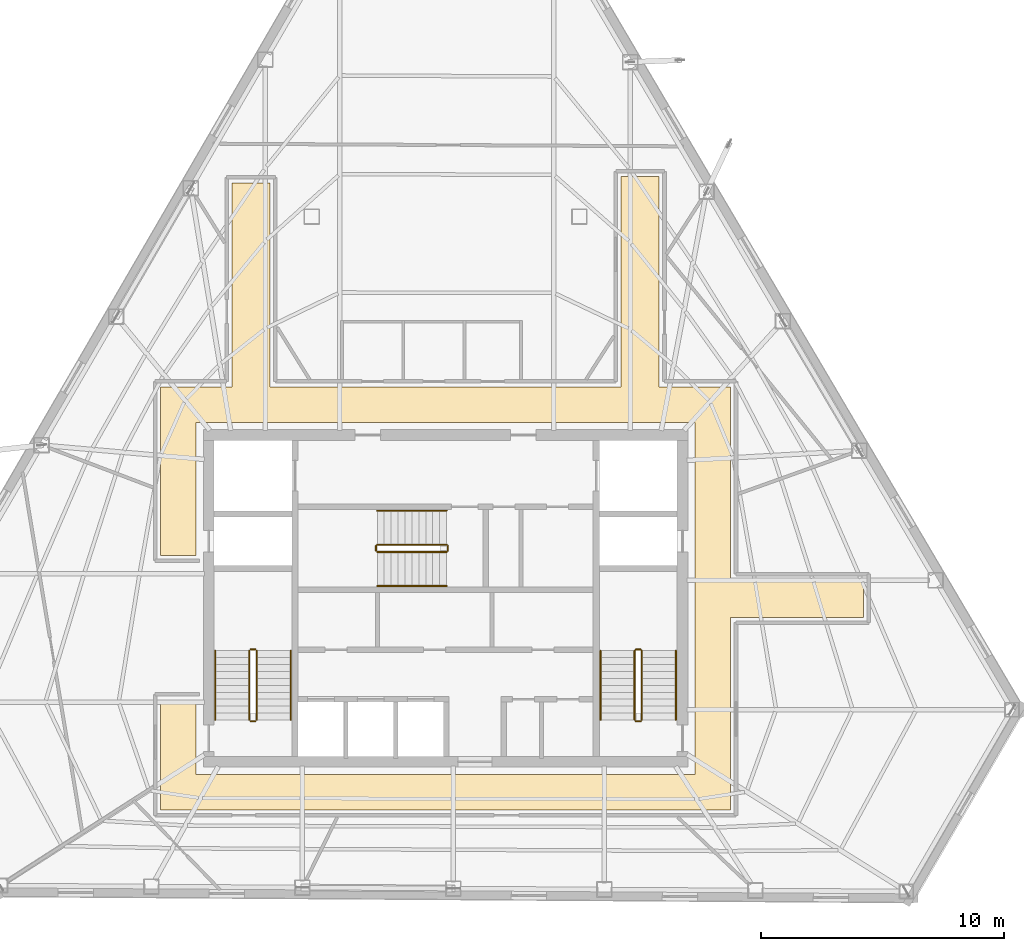
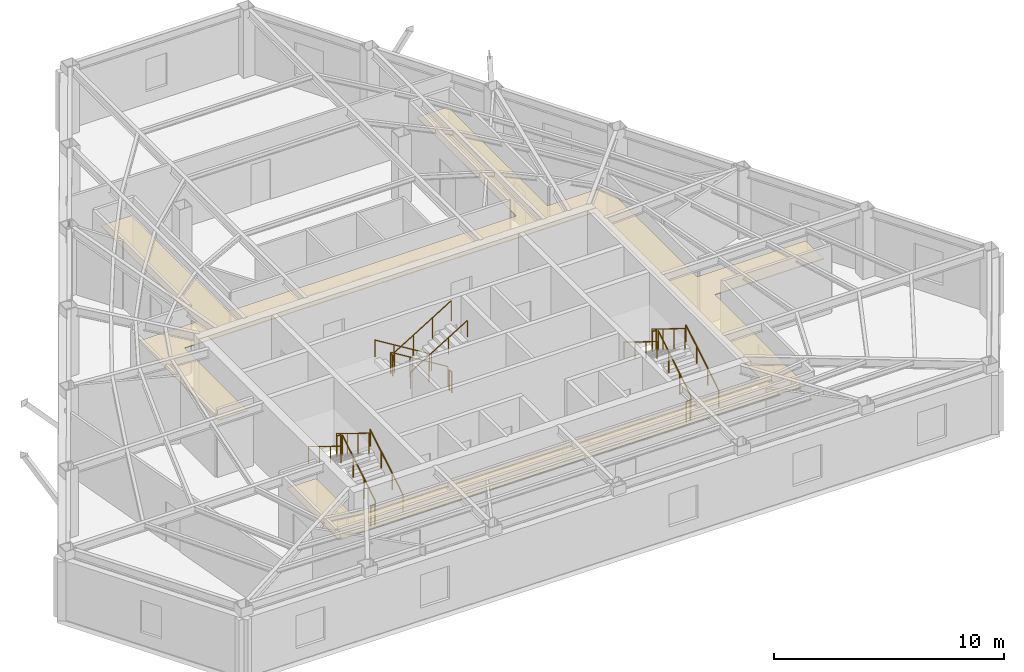
# One storey, part 11 of 11: 18 railings, 1 covering.
"""IFC4 building model written with IfcOpenShell, lengths in metres."""

from ifc_helpers import new_model, si_unit, direction, frame, origin, origin_2d, place, context, subcontext, project, spatial, polyline, circle, outline, extrude, material, layer, layer_set, type_object, element, save


model = new_model("IFC4")

# Units and contexts
model_context = context("Model", 3, precision=1e-05, world=origin(), true_north=direction((0.0, 1.0)))
body_context = subcontext(model_context, "Body", "Model", "MODEL_VIEW")
ifc_project = project(units=[si_unit("LENGTHUNIT", "METRE"), si_unit("AREAUNIT", "SQUARE_METRE"), si_unit("VOLUMEUNIT", "CUBIC_METRE"), si_unit("PLANEANGLEUNIT", "RADIAN"), si_unit("MASSUNIT", "GRAM", prefix="KILO")], contexts=[model_context])

# Site, building, storey
site_placement = place(None, origin())
site = spatial("IfcSite", under=ifc_project, at=site_placement, CompositionType="ELEMENT")
building_placement = place(site_placement, origin())
building = spatial("IfcBuilding", under=site, at=building_placement, Name="Kavelnor Concourse Tower", CompositionType="ELEMENT")
storey_placement = place(building_placement, frame((0.0, 0.0, 195.800048828125)))
storey = spatial("IfcBuildingStorey", under=building, at=storey_placement, Name="L49", CompositionType="ELEMENT", Elevation=195.800048828125)

# Covering
ifc_material_1 = material(Name="Mineral fibre acoustic ceiling tile")
ifc_layer = layer(ifc_material_1, 0.0400390625, Name="Mineral fibre acoustic ceiling tile")
ifc_layer_set = layer_set([ifc_layer], Name="Mineral fibre acoustic ceiling tile")
covering_type = type_object("IfcCoveringType", Name="COV-CEILING-ACOUSTIC", PredefinedType="CEILING", material=ifc_layer_set)
covering_placement = place(storey_placement, frame((0.0, 0.0, 2.75)))
element("IfcCovering", 1, at=covering_placement, inside=storey, type_object=covering_type, Name="L49 Suspended Acoustic Ceiling", PredefinedType="CEILING", context=body_context, shape_type="SweptSolid", body=[
    extrude(outline(polyline([(29.219970703125, 24.800048828125), (29.219970703125, 33.18896484375), (30.780029296875, 33.18896484375), (30.780029296875, 24.800048828125), (45.219970703125, 24.800048828125), (45.219970703125, 33.44189453125), (46.780029296875, 33.44189453125), (46.780029296875, 24.800048828125), (49.719970703125, 24.800048828125), (49.719970703125, 16.8798828125), (55.179931640625, 16.8798828125), (55.179931640625, 15.320068359375), (49.719970703125, 15.320068359375), (49.719970703125, 7.39990234375), (26.280029296875, 7.39990234375), (26.280029296875, 11.929931640625), (27.739990234375, 11.929931640625), (27.739990234375, 8.860107421875), (48.260009765625, 8.860107421875), (48.260009765625, 23.340087890625), (27.739990234375, 23.340087890625), (27.739990234375, 17.8701171875), (26.280029296875, 17.8701171875), (26.280029296875, 24.800048828125), (29.219970703125, 24.800048828125)])), origin(), (0.0, 0.0, 1.0), 0.0400390625),
])

# Railings
ifc_material_2 = material(Name="Steel Grade 350", Category="steel")
railing_type_1 = type_object("IfcRailingType", Name="RLG-GUARD-1100", PredefinedType="GUARDRAIL", material=ifc_material_2)
railing_1_placement = place(storey_placement, frame((30.22998046875, 11.10009765625, 0.175048828125)))
element("IfcRailing", 2, at=railing_1_placement, inside=storey, type_object=railing_type_1, Name="L49 ST1 stair guard 1", PredefinedType="GUARDRAIL", context=body_context, shape_type="SweptSolid", body=[
    extrude(circle(Radius=0.02392578125, at=origin_2d()), frame((0.0, 0.0, 1.076171875), z_axis=(0.0, 0.852159232446, 0.523282564737), x_axis=(-1.0, 0.0, 0.0)), (0.0, 0.0, 1.0), 3.34423828125),
    extrude(circle(Radius=0.02099609375, at=origin_2d()), origin(), (0.0, 0.0, 1.0), 1.052001953125),
    extrude(circle(Radius=0.02099609375, at=origin_2d()), frame((0.0, 0.949951171875, 0.583251953125)), (0.0, 0.0, 1.0), 1.052001953125),
    extrude(circle(Radius=0.02099609375, at=origin_2d()), frame((0.0, 1.89990234375, 1.166748046875)), (0.0, 0.0, 1.0), 1.052001953125),
    extrude(circle(Radius=0.02099609375, at=origin_2d()), frame((0.0, 2.849853515625, 1.75)), (0.0, 0.0, 1.0), 1.052001953125),
])
railing_2_placement = place(storey_placement, frame((30.179931640625, 14.0, 1.925048828125)))
element("IfcRailing", 3, at=railing_2_placement, inside=storey, type_object=railing_type_1, Name="L49 ST1 stair guard 2", PredefinedType="GUARDRAIL", context=body_context, shape_type="SweptSolid", body=[
    extrude(circle(Radius=0.02392578125, at=origin_2d()), frame((0.0, 0.0, 1.076171875), z_axis=(-1.0, 0.0, 0.0), x_axis=(0.0, -1.0, 0.0)), (0.0, 0.0, 1.0), 0.199951171875),
    extrude(circle(Radius=0.02099609375, at=origin_2d()), origin(), (0.0, 0.0, 1.0), 1.052001953125),
    extrude(circle(Radius=0.02099609375, at=origin_2d()), frame((-0.199951171875, 0.0, 0.0)), (0.0, 0.0, 1.0), 1.052001953125),
])
railing_3_placement = place(storey_placement, frame((29.929931640625, 13.949951171875, 2.099853515625)))
element("IfcRailing", 4, at=railing_3_placement, inside=storey, type_object=railing_type_1, Name="L49 ST1 stair guard 3", PredefinedType="GUARDRAIL", context=body_context, shape_type="SweptSolid", body=[
    extrude(circle(Radius=0.02392578125, at=origin_2d()), frame((0.0, 0.0, 1.076171875), z_axis=(0.0, -0.852159232446, 0.523282564737), x_axis=(1.0, 0.0, 0.0)), (0.0, 0.0, 1.0), 3.34423828125),
    extrude(circle(Radius=0.02099609375, at=origin_2d()), origin(), (0.0, 0.0, 1.0), 1.052001953125),
    extrude(circle(Radius=0.02099609375, at=origin_2d()), frame((0.0, -0.949951171875, 0.583251953125)), (0.0, 0.0, 1.0), 1.052001953125),
    extrude(circle(Radius=0.02099609375, at=origin_2d()), frame((0.0, -1.89990234375, 1.166748046875)), (0.0, 0.0, 1.0), 1.052001953125),
    extrude(circle(Radius=0.02099609375, at=origin_2d()), frame((0.0, -2.849853515625, 1.75)), (0.0, 0.0, 1.0), 1.052001953125),
])
railing_4_placement = place(storey_placement, frame((30.179931640625, 11.050048828125, 0.0)))
element("IfcRailing", 5, at=railing_4_placement, inside=storey, type_object=railing_type_1, Name="L49 ST1 stair guard 4", PredefinedType="GUARDRAIL", context=body_context, shape_type="SweptSolid", body=[
    extrude(circle(Radius=0.02392578125, at=origin_2d()), frame((0.0, 0.0, 1.076171875), z_axis=(-1.0, 0.0, 0.0), x_axis=(0.0, -1.0, 0.0)), (0.0, 0.0, 1.0), 0.199951171875),
    extrude(circle(Radius=0.02099609375, at=origin_2d()), origin(), (0.0, 0.0, 1.0), 1.052001953125),
    extrude(circle(Radius=0.02099609375, at=origin_2d()), frame((-0.199951171875, 0.0, 0.0)), (0.0, 0.0, 1.0), 1.052001953125),
])
railing_5_placement = place(storey_placement, frame((46.070068359375, 11.10009765625, 0.175048828125)))
element("IfcRailing", 6, at=railing_5_placement, inside=storey, type_object=railing_type_1, Name="L49 ST2 stair guard 1", PredefinedType="GUARDRAIL", context=body_context, shape_type="SweptSolid", body=[
    extrude(circle(Radius=0.02392578125, at=origin_2d()), frame((0.0, 0.0, 1.076171875), z_axis=(0.0, 0.852159232446, 0.523282564737), x_axis=(-1.0, 0.0, 0.0)), (0.0, 0.0, 1.0), 3.34423828125),
    extrude(circle(Radius=0.02099609375, at=origin_2d()), origin(), (0.0, 0.0, 1.0), 1.052001953125),
    extrude(circle(Radius=0.02099609375, at=origin_2d()), frame((0.0, 0.949951171875, 0.583251953125)), (0.0, 0.0, 1.0), 1.052001953125),
    extrude(circle(Radius=0.02099609375, at=origin_2d()), frame((0.0, 1.89990234375, 1.166748046875)), (0.0, 0.0, 1.0), 1.052001953125),
    extrude(circle(Radius=0.02099609375, at=origin_2d()), frame((0.0, 2.849853515625, 1.75)), (0.0, 0.0, 1.0), 1.052001953125),
])
railing_6_placement = place(storey_placement, frame((46.02001953125, 14.0, 1.925048828125)))
element("IfcRailing", 7, at=railing_6_placement, inside=storey, type_object=railing_type_1, Name="L49 ST2 stair guard 2", PredefinedType="GUARDRAIL", context=body_context, shape_type="SweptSolid", body=[
    extrude(circle(Radius=0.02392578125, at=origin_2d()), frame((0.0, 0.0, 1.076171875), z_axis=(-1.0, 0.0, 0.0), x_axis=(0.0, -1.0, 0.0)), (0.0, 0.0, 1.0), 0.199951171875),
    extrude(circle(Radius=0.02099609375, at=origin_2d()), origin(), (0.0, 0.0, 1.0), 1.052001953125),
    extrude(circle(Radius=0.02099609375, at=origin_2d()), frame((-0.199951171875, 0.0, 0.0)), (0.0, 0.0, 1.0), 1.052001953125),
])
railing_7_placement = place(storey_placement, frame((45.77001953125, 13.949951171875, 2.099853515625)))
element("IfcRailing", 8, at=railing_7_placement, inside=storey, type_object=railing_type_1, Name="L49 ST2 stair guard 3", PredefinedType="GUARDRAIL", context=body_context, shape_type="SweptSolid", body=[
    extrude(circle(Radius=0.02392578125, at=origin_2d()), frame((0.0, 0.0, 1.076171875), z_axis=(0.0, -0.852159232446, 0.523282564737), x_axis=(1.0, 0.0, 0.0)), (0.0, 0.0, 1.0), 3.34423828125),
    extrude(circle(Radius=0.02099609375, at=origin_2d()), origin(), (0.0, 0.0, 1.0), 1.052001953125),
    extrude(circle(Radius=0.02099609375, at=origin_2d()), frame((0.0, -0.949951171875, 0.583251953125)), (0.0, 0.0, 1.0), 1.052001953125),
    extrude(circle(Radius=0.02099609375, at=origin_2d()), frame((0.0, -1.89990234375, 1.166748046875)), (0.0, 0.0, 1.0), 1.052001953125),
    extrude(circle(Radius=0.02099609375, at=origin_2d()), frame((0.0, -2.849853515625, 1.75)), (0.0, 0.0, 1.0), 1.052001953125),
])
railing_8_placement = place(storey_placement, frame((46.02001953125, 11.050048828125, 0.0)))
element("IfcRailing", 9, at=railing_8_placement, inside=storey, type_object=railing_type_1, Name="L49 ST2 stair guard 4", PredefinedType="GUARDRAIL", context=body_context, shape_type="SweptSolid", body=[
    extrude(circle(Radius=0.02392578125, at=origin_2d()), frame((0.0, 0.0, 1.076171875), z_axis=(-1.0, 0.0, 0.0), x_axis=(0.0, -1.0, 0.0)), (0.0, 0.0, 1.0), 0.199951171875),
    extrude(circle(Radius=0.02099609375, at=origin_2d()), origin(), (0.0, 0.0, 1.0), 1.052001953125),
    extrude(circle(Radius=0.02099609375, at=origin_2d()), frame((-0.199951171875, 0.0, 0.0)), (0.0, 0.0, 1.0), 1.052001953125),
])
railing_9_placement = place(storey_placement, frame((38.0400390625, 18.31005859375, 0.175048828125)))
element("IfcRailing", 10, at=railing_9_placement, inside=storey, type_object=railing_type_1, Name="L49 ST3 stair guard 1", PredefinedType="GUARDRAIL", context=body_context, shape_type="SweptSolid", body=[
    extrude(circle(Radius=0.02392578125, at=origin_2d()), frame((0.0, 0.0, 1.076171875), z_axis=(-0.852179220489, 0.0, 0.52325001306), x_axis=(0.0, -1.0, 0.0)), (0.0, 0.0, 1.0), 3.344482421875),
    extrude(circle(Radius=0.02099609375, at=origin_2d()), origin(), (0.0, 0.0, 1.0), 1.052001953125),
    extrude(circle(Radius=0.02099609375, at=origin_2d()), frame((-0.949951171875, 0.0, 0.583251953125)), (0.0, 0.0, 1.0), 1.052001953125),
    extrude(circle(Radius=0.02099609375, at=origin_2d()), frame((-1.900146484375, 0.0, 1.166748046875)), (0.0, 0.0, 1.0), 1.052001953125),
    extrude(circle(Radius=0.02099609375, at=origin_2d()), frame((-2.85009765625, 0.0, 1.75)), (0.0, 0.0, 1.0), 1.052001953125),
])
railing_10_placement = place(storey_placement, frame((35.139892578125, 18.260009765625, 1.925048828125)))
element("IfcRailing", 11, at=railing_10_placement, inside=storey, type_object=railing_type_1, Name="L49 ST3 stair guard 2", PredefinedType="GUARDRAIL", context=body_context, shape_type="SweptSolid", body=[
    extrude(circle(Radius=0.02392578125, at=origin_2d()), frame((0.0, 0.0, 1.076171875), z_axis=(0.0, -1.0, 0.0), x_axis=(1.0, 0.0, 0.0)), (0.0, 0.0, 1.0), 0.199951171875),
    extrude(circle(Radius=0.02099609375, at=origin_2d()), origin(), (0.0, 0.0, 1.0), 1.052001953125),
    extrude(circle(Radius=0.02099609375, at=origin_2d()), frame((0.0, -0.199951171875, 0.0)), (0.0, 0.0, 1.0), 1.052001953125),
])
railing_11_placement = place(storey_placement, frame((35.18994140625, 18.010009765625, 2.099853515625)))
element("IfcRailing", 12, at=railing_11_placement, inside=storey, type_object=railing_type_1, Name="L49 ST3 stair guard 3", PredefinedType="GUARDRAIL", context=body_context, shape_type="SweptSolid", body=[
    extrude(circle(Radius=0.02392578125, at=origin_2d()), frame((0.0, 0.0, 1.076171875), z_axis=(0.852179220489, 0.0, 0.52325001306), x_axis=(0.0, 1.0, 0.0)), (0.0, 0.0, 1.0), 3.344482421875),
    extrude(circle(Radius=0.02099609375, at=origin_2d()), origin(), (0.0, 0.0, 1.0), 1.052001953125),
    extrude(circle(Radius=0.02099609375, at=origin_2d()), frame((0.949951171875, 0.0, 0.583251953125)), (0.0, 0.0, 1.0), 1.052001953125),
    extrude(circle(Radius=0.02099609375, at=origin_2d()), frame((1.900146484375, 0.0, 1.166748046875)), (0.0, 0.0, 1.0), 1.052001953125),
    extrude(circle(Radius=0.02099609375, at=origin_2d()), frame((2.85009765625, 0.0, 1.75)), (0.0, 0.0, 1.0), 1.052001953125),
])
railing_12_placement = place(storey_placement, frame((38.090087890625, 18.260009765625, 0.0)))
element("IfcRailing", 13, at=railing_12_placement, inside=storey, type_object=railing_type_1, Name="L49 ST3 stair guard 4", PredefinedType="GUARDRAIL", context=body_context, shape_type="SweptSolid", body=[
    extrude(circle(Radius=0.02392578125, at=origin_2d()), frame((0.0, 0.0, 1.076171875), z_axis=(0.0, -1.0, 0.0), x_axis=(1.0, 0.0, 0.0)), (0.0, 0.0, 1.0), 0.199951171875),
    extrude(circle(Radius=0.02099609375, at=origin_2d()), origin(), (0.0, 0.0, 1.0), 1.052001953125),
    extrude(circle(Radius=0.02099609375, at=origin_2d()), frame((0.0, -0.199951171875, 0.0)), (0.0, 0.0, 1.0), 1.052001953125),
])
railing_type_2 = type_object("IfcRailingType", Name="RLG-HANDRAIL-900", PredefinedType="HANDRAIL", material=ifc_material_2)
railing_13_placement = place(storey_placement, frame((31.6298828125, 11.10009765625, 0.175048828125)))
element("IfcRailing", 14, at=railing_13_placement, inside=storey, type_object=railing_type_2, Name="L49 ST1 stair handrail 1", PredefinedType="HANDRAIL", context=body_context, shape_type="SweptSolid", body=[
    extrude(circle(Radius=0.02392578125, at=origin_2d()), frame((0.0, 0.0, 0.8759765625), z_axis=(0.0, 0.852159232446, 0.523282564737), x_axis=(-1.0, 0.0, 0.0)), (0.0, 0.0, 1.0), 3.34423828125),
    extrude(circle(Radius=0.02099609375, at=origin_2d()), origin(), (0.0, 0.0, 1.0), 0.851806640625),
    extrude(circle(Radius=0.02099609375, at=origin_2d()), frame((0.0, 0.949951171875, 0.583251953125)), (0.0, 0.0, 1.0), 0.851806640625),
    extrude(circle(Radius=0.02099609375, at=origin_2d()), frame((0.0, 1.89990234375, 1.166748046875)), (0.0, 0.0, 1.0), 0.851806640625),
    extrude(circle(Radius=0.02099609375, at=origin_2d()), frame((0.0, 2.849853515625, 1.75)), (0.0, 0.0, 1.0), 0.851806640625),
])
railing_14_placement = place(storey_placement, frame((28.530029296875, 13.949951171875, 2.099853515625)))
element("IfcRailing", 15, at=railing_14_placement, inside=storey, type_object=railing_type_2, Name="L49 ST1 stair handrail 2", PredefinedType="HANDRAIL", context=body_context, shape_type="SweptSolid", body=[
    extrude(circle(Radius=0.02392578125, at=origin_2d()), frame((0.0, 0.0, 0.8759765625), z_axis=(0.0, -0.852159232446, 0.523282564737), x_axis=(1.0, 0.0, 0.0)), (0.0, 0.0, 1.0), 3.34423828125),
    extrude(circle(Radius=0.02099609375, at=origin_2d()), origin(), (0.0, 0.0, 1.0), 0.851806640625),
    extrude(circle(Radius=0.02099609375, at=origin_2d()), frame((0.0, -0.949951171875, 0.583251953125)), (0.0, 0.0, 1.0), 0.851806640625),
    extrude(circle(Radius=0.02099609375, at=origin_2d()), frame((0.0, -1.89990234375, 1.166748046875)), (0.0, 0.0, 1.0), 0.851806640625),
    extrude(circle(Radius=0.02099609375, at=origin_2d()), frame((0.0, -2.849853515625, 1.75)), (0.0, 0.0, 1.0), 0.851806640625),
])
railing_15_placement = place(storey_placement, frame((47.469970703125, 11.10009765625, 0.175048828125)))
element("IfcRailing", 16, at=railing_15_placement, inside=storey, type_object=railing_type_2, Name="L49 ST2 stair handrail 1", PredefinedType="HANDRAIL", context=body_context, shape_type="SweptSolid", body=[
    extrude(circle(Radius=0.02392578125, at=origin_2d()), frame((0.0, 0.0, 0.8759765625), z_axis=(0.0, 0.852159232446, 0.523282564737), x_axis=(-1.0, 0.0, 0.0)), (0.0, 0.0, 1.0), 3.34423828125),
    extrude(circle(Radius=0.02099609375, at=origin_2d()), origin(), (0.0, 0.0, 1.0), 0.851806640625),
    extrude(circle(Radius=0.02099609375, at=origin_2d()), frame((0.0, 0.949951171875, 0.583251953125)), (0.0, 0.0, 1.0), 0.851806640625),
    extrude(circle(Radius=0.02099609375, at=origin_2d()), frame((0.0, 1.89990234375, 1.166748046875)), (0.0, 0.0, 1.0), 0.851806640625),
    extrude(circle(Radius=0.02099609375, at=origin_2d()), frame((0.0, 2.849853515625, 1.75)), (0.0, 0.0, 1.0), 0.851806640625),
])
railing_16_placement = place(storey_placement, frame((44.3701171875, 13.949951171875, 2.099853515625)))
element("IfcRailing", 17, at=railing_16_placement, inside=storey, type_object=railing_type_2, Name="L49 ST2 stair handrail 2", PredefinedType="HANDRAIL", context=body_context, shape_type="SweptSolid", body=[
    extrude(circle(Radius=0.02392578125, at=origin_2d()), frame((0.0, 0.0, 0.8759765625), z_axis=(0.0, -0.852159232446, 0.523282564737), x_axis=(1.0, 0.0, 0.0)), (0.0, 0.0, 1.0), 3.34423828125),
    extrude(circle(Radius=0.02099609375, at=origin_2d()), origin(), (0.0, 0.0, 1.0), 0.851806640625),
    extrude(circle(Radius=0.02099609375, at=origin_2d()), frame((0.0, -0.949951171875, 0.583251953125)), (0.0, 0.0, 1.0), 0.851806640625),
    extrude(circle(Radius=0.02099609375, at=origin_2d()), frame((0.0, -1.89990234375, 1.166748046875)), (0.0, 0.0, 1.0), 0.851806640625),
    extrude(circle(Radius=0.02099609375, at=origin_2d()), frame((0.0, -2.849853515625, 1.75)), (0.0, 0.0, 1.0), 0.851806640625),
])
railing_17_placement = place(storey_placement, frame((38.0400390625, 19.7099609375, 0.175048828125)))
element("IfcRailing", 18, at=railing_17_placement, inside=storey, type_object=railing_type_2, Name="L49 ST3 stair handrail 1", PredefinedType="HANDRAIL", context=body_context, shape_type="SweptSolid", body=[
    extrude(circle(Radius=0.02392578125, at=origin_2d()), frame((0.0, 0.0, 0.8759765625), z_axis=(-0.852179220489, 0.0, 0.52325001306), x_axis=(0.0, -1.0, 0.0)), (0.0, 0.0, 1.0), 3.344482421875),
    extrude(circle(Radius=0.02099609375, at=origin_2d()), origin(), (0.0, 0.0, 1.0), 0.851806640625),
    extrude(circle(Radius=0.02099609375, at=origin_2d()), frame((-0.949951171875, 0.0, 0.583251953125)), (0.0, 0.0, 1.0), 0.851806640625),
    extrude(circle(Radius=0.02099609375, at=origin_2d()), frame((-1.900146484375, 0.0, 1.166748046875)), (0.0, 0.0, 1.0), 0.851806640625),
    extrude(circle(Radius=0.02099609375, at=origin_2d()), frame((-2.85009765625, 0.0, 1.75)), (0.0, 0.0, 1.0), 0.851806640625),
])
railing_18_placement = place(storey_placement, frame((35.18994140625, 16.610107421875, 2.099853515625)))
element("IfcRailing", 19, at=railing_18_placement, inside=storey, type_object=railing_type_2, Name="L49 ST3 stair handrail 2", PredefinedType="HANDRAIL", context=body_context, shape_type="SweptSolid", body=[
    extrude(circle(Radius=0.02392578125, at=origin_2d()), frame((0.0, 0.0, 0.8759765625), z_axis=(0.852179220489, 0.0, 0.52325001306), x_axis=(0.0, 1.0, 0.0)), (0.0, 0.0, 1.0), 3.344482421875),
    extrude(circle(Radius=0.02099609375, at=origin_2d()), origin(), (0.0, 0.0, 1.0), 0.851806640625),
    extrude(circle(Radius=0.02099609375, at=origin_2d()), frame((0.949951171875, 0.0, 0.583251953125)), (0.0, 0.0, 1.0), 0.851806640625),
    extrude(circle(Radius=0.02099609375, at=origin_2d()), frame((1.900146484375, 0.0, 1.166748046875)), (0.0, 0.0, 1.0), 0.851806640625),
    extrude(circle(Radius=0.02099609375, at=origin_2d()), frame((2.85009765625, 0.0, 1.75)), (0.0, 0.0, 1.0), 0.851806640625),
])

save(model, "model.ifc")
